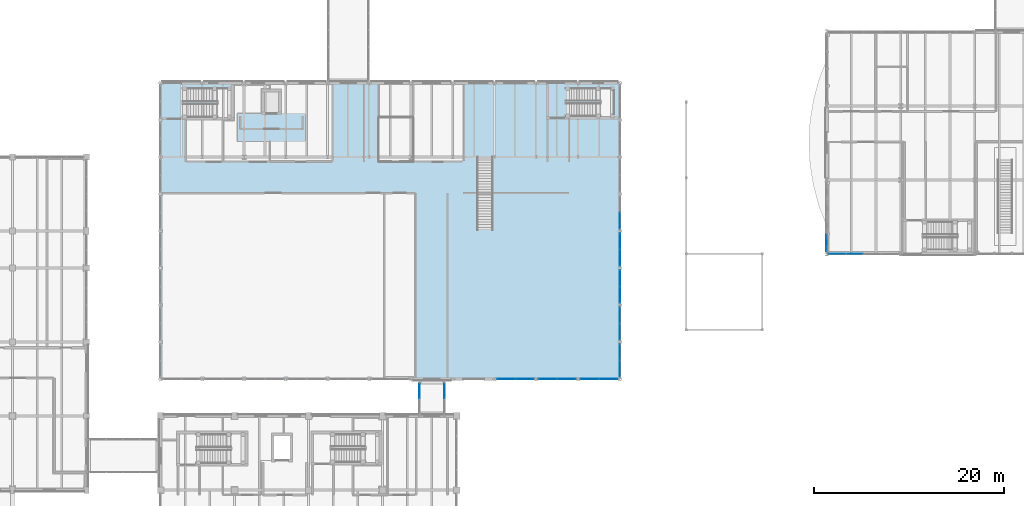
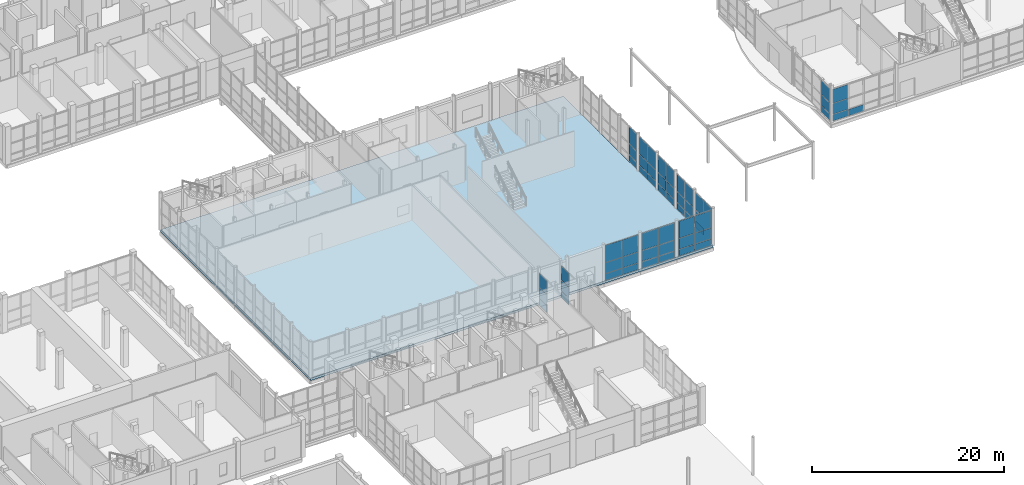
# One storey, part 75 of 131: 58 plates, 1 slab, 12 elements without a shape of their own.
"""IFC4 building model written with IfcOpenShell, lengths in metres."""

import ifcopenshell
import ifcopenshell.guid

model = None  # the IFC model being written
_history = None  # IfcOwnerHistory: only IFC2X3 demands one
_inside = {}  # id of a spatial element -> (the spatial element, [elements in it])
_under = {}  # id of a project, library or spatial element -> (it, [spatial elements below it])
_declared = {}  # id of a project -> (the project, [libraries it declares])
_typed = {}  # id of a type object -> (the type object, [elements of that type])
_made_of = {}  # id of a material, layer set ... -> (it, [elements and type objects made of it])


def new_model(schema):
    """Start an empty IFC model of exactly this schema.

    Asked for "IFC4X3", IfcOpenShell would pick the latest addendum, in which some entities
    have other attributes; the version numbers below select the first issue.
    IFC2X3 requires an IfcOwnerHistory on every rooted entity: one is made here for all.
    """
    global model, _history
    if schema == "IFC4X3":
        model = ifcopenshell.file(schema_version=(4, 3, 0, 0))
    else:
        model = ifcopenshell.file(schema=schema)
    _inside.clear()
    _under.clear()
    _declared.clear()
    _typed.clear()
    _made_of.clear()
    _history = None
    if model.schema == "IFC2X3":
        org = make("IfcOrganization", Name="unknown")
        user = make(
            "IfcPersonAndOrganization",
            ThePerson=make("IfcPerson", FamilyName="unknown"),
            TheOrganization=org,
        )
        app = make(
            "IfcApplication",
            ApplicationDeveloper=org,
            Version="unknown",
            ApplicationFullName="unknown",
            ApplicationIdentifier="unknown",
        )
        _history = make(
            "IfcOwnerHistory",
            OwningUser=user,
            OwningApplication=app,
            ChangeAction="ADDED",
            CreationDate=0,
        )
    return model


def make(cls, **values):
    """One entity of the class cls with the attributes given. An attribute that is None is left unset."""
    return model.create_entity(
        cls, **{name: value for name, value in values.items() if value is not None}
    )


def rooted(cls, **values):
    """An entity with a GlobalId (a new one), such as an element, a storey or a relation."""
    return make(cls, GlobalId=ifcopenshell.guid.new(), OwnerHistory=_history, **values)


def si_unit(unit_type, name, prefix=None):
    """IfcSIUnit, for example si_unit("LENGTHUNIT", "METRE", prefix="MILLI")."""
    return make("IfcSIUnit", UnitType=unit_type, Prefix=prefix, Name=name)


def assignment(units):
    """IfcUnitAssignment: the units of a project."""
    return None if units is None else make("IfcUnitAssignment", Units=units)


def point(xyz):
    """IfcCartesianPoint."""
    return None if xyz is None else make("IfcCartesianPoint", Coordinates=xyz)


def direction(xyz):
    """IfcDirection."""
    return None if xyz is None else make("IfcDirection", DirectionRatios=xyz)


def frame(location, z_axis=None, x_axis=None):
    """IfcAxis2Placement3D, a coordinate frame: its origin and axes. An axis left out is left unset."""
    return make(
        "IfcAxis2Placement3D",
        Location=point(location),
        Axis=direction(z_axis),
        RefDirection=direction(x_axis),
    )


def frame_2d(location, x_axis=None):
    """IfcAxis2Placement2D, a coordinate frame in the plane: its origin and x axis."""
    return make(
        "IfcAxis2Placement2D", Location=point(location), RefDirection=direction(x_axis)
    )


def origin():
    """The frame at (0, 0, 0) with its axes left unset."""
    return frame((0.0, 0.0, 0.0))


def origin_2d():
    """The frame at (0, 0) in the plane with its x axis left unset."""
    return frame_2d((0.0, 0.0))


def place(relative_to, where):
    """IfcLocalPlacement: puts the frame where relative to a parent placement (None: the world)."""
    return make(
        "IfcLocalPlacement", PlacementRelTo=relative_to, RelativePlacement=where
    )


def context(
    kind, dimensions, precision=None, world=None, true_north=None, identifier=None
):
    """IfcGeometricRepresentationContext, for example the 3D "Model" context."""
    return make(
        "IfcGeometricRepresentationContext",
        ContextIdentifier=identifier,
        ContextType=kind,
        CoordinateSpaceDimension=dimensions,
        Precision=precision,
        WorldCoordinateSystem=world,
        TrueNorth=true_north,
    )


def subcontext(parent, identifier, kind, view, scale=None):
    """IfcGeometricRepresentationSubContext, for example "Body" below "Model"."""
    return make(
        "IfcGeometricRepresentationSubContext",
        ContextIdentifier=identifier,
        ContextType=kind,
        ParentContext=parent,
        TargetScale=scale,
        TargetView=view,
    )


def project(units=None, contexts=None):
    """IfcProject with its units and contexts."""
    return rooted(
        "IfcProject",
        Name="project",
        RepresentationContexts=contexts,
        UnitsInContext=assignment(units),
    )


def spatial(cls, under=None, at=None, **own):
    """A site, building, storey or space (cls), placed at a placement, below another one or the project."""
    s = rooted(cls, ObjectPlacement=at, **own)
    if under is not None:
        _under.setdefault(under.id(), (under, []))[1].append(s)
    return s


def polyline(points):
    """IfcPolyline through the points."""
    return make("IfcPolyline", Points=[point(p) for p in points])


def profile(cls, at=None, kind="AREA", **sizes):
    """A parametric profile (cls). Its sizes go by their IFC names, for example OverallWidth=200.0."""
    return make(cls, ProfileType=kind, Position=at, **sizes)


def rectangle(**sizes):
    """IfcRectangleProfileDef."""
    return profile("IfcRectangleProfileDef", **sizes)


def outline(outer, holes=None, kind="AREA"):
    """IfcArbitraryClosedProfileDef: a profile drawn as a closed curve; with holes, ...WithVoids."""
    if holes is None:
        return make("IfcArbitraryClosedProfileDef", ProfileType=kind, OuterCurve=outer)
    return make(
        "IfcArbitraryProfileDefWithVoids",
        ProfileType=kind,
        OuterCurve=outer,
        InnerCurves=holes,
    )


def extrude(swept, where, along, depth):
    """IfcExtrudedAreaSolid: the profile swept, set in the frame where, extruded along a direction by depth."""
    return make(
        "IfcExtrudedAreaSolid",
        SweptArea=swept,
        Position=where,
        ExtrudedDirection=direction(along),
        Depth=depth,
    )


def shape(context_of_items, identifier, shape_type, items):
    """IfcShapeRepresentation: the items that make up one representation, for example the "Body"."""
    return make(
        "IfcShapeRepresentation",
        ContextOfItems=context_of_items,
        RepresentationIdentifier=identifier,
        RepresentationType=shape_type,
        Items=items,
    )


def material(Name=None, Category=None):
    """IfcMaterial."""
    return make("IfcMaterial", Name=Name, Category=Category)


def layer(
    of_material, thickness, ventilated=None, Name=None, Category=None, Priority=None
):
    """IfcMaterialLayer: one layer of a wall or slab, of a material (None: an air gap)."""
    return make(
        "IfcMaterialLayer",
        Material=of_material,
        LayerThickness=thickness,
        IsVentilated=ventilated,
        Name=Name,
        Category=Category,
        Priority=Priority,
    )


def layer_set(layers, Name=None):
    """IfcMaterialLayerSet."""
    return make("IfcMaterialLayerSet", MaterialLayers=layers, LayerSetName=Name)


def made_of(thing, what):
    """Note that an element or type object is made of a material, layer set ...; save() writes the relation."""
    if what is not None:
        _made_of.setdefault(what.id(), (what, []))[1].append(thing)
    return thing


def type_object(cls, material=None, **own):
    """A type object (cls), such as IfcWallType, which elements share."""
    return made_of(rooted(cls, **own), material)


def element(
    cls,
    number,
    at=None,
    inside=None,
    cuts=None,
    type_object=None,
    material=None,
    context=None,
    identifier="Body",
    shape_type=None,
    held_by="IfcProductDefinitionShape",
    body=None,
    shapes=None,
    **own,
):
    """One element of the class cls, such as IfcWall. Its Tag is "e" and its number.

    at: its placement. inside: the storey or other place that contains it. cuts: it is an
    opening in that element (IfcRelVoidsElement). A single representation is given by context,
    identifier, shape_type and body (its items); several are given by shapes. held_by: the class
    of the entity that holds the representations. save() writes the other relations.
    """
    e = rooted(cls, Tag="e%d" % number, ObjectPlacement=at, **own)
    if body is not None:
        shapes = [shape(context, identifier, shape_type, body)]
    if shapes is not None:
        e.Representation = make(held_by, Representations=shapes)
    if inside is not None:
        _inside.setdefault(inside.id(), (inside, []))[1].append(e)
    if cuts is not None:
        rooted(
            "IfcRelVoidsElement", RelatingBuildingElement=cuts, RelatedOpeningElement=e
        )
    if type_object is not None:
        _typed.setdefault(type_object.id(), (type_object, []))[1].append(e)
    return made_of(e, material)


def aggregate(whole, parts):
    """IfcRelAggregates: a whole, such as a stair, and the parts it consists of."""
    return rooted("IfcRelAggregates", RelatingObject=whole, RelatedObjects=parts)


def save(model, path):
    """Write the relations noted so far, then the file.

    IfcRelAggregates (storeys below a building ...), IfcRelContainedInSpatialStructure (elements
    in a storey), IfcRelDefinesByType, IfcRelAssociatesMaterial and IfcRelDeclares: one each for
    every whole, place, type object, material and project.
    """
    for whole, parts in _under.values():
        aggregate(whole, parts)
    for where, things in _inside.values():
        rooted(
            "IfcRelContainedInSpatialStructure",
            RelatedElements=things,
            RelatingStructure=where,
        )
    for kind, things in _typed.values():
        rooted("IfcRelDefinesByType", RelatedObjects=things, RelatingType=kind)
    for what, things in _made_of.values():
        rooted("IfcRelAssociatesMaterial", RelatedObjects=things, RelatingMaterial=what)
    for by, libraries in _declared.values():
        rooted("IfcRelDeclares", RelatingContext=by, RelatedDefinitions=libraries)
    model.write(path)


model = new_model("IFC4")

# Units and contexts
model_context = context("Model", 3, precision=1e-05, world=origin(), true_north=direction((0.0, 1.0)))
body_context = subcontext(model_context, "Body", "Model", "MODEL_VIEW")
ifc_project = project(units=[si_unit("LENGTHUNIT", "METRE"), si_unit("AREAUNIT", "SQUARE_METRE"), si_unit("VOLUMEUNIT", "CUBIC_METRE"), si_unit("PLANEANGLEUNIT", "RADIAN"), si_unit("MASSUNIT", "GRAM", prefix="KILO")], contexts=[model_context])

# Site, building, storey
site_placement = place(None, origin())
site = spatial("IfcSite", under=ifc_project, at=site_placement, CompositionType="ELEMENT")
building_placement = place(site_placement, origin())
building = spatial("IfcBuilding", under=site, at=building_placement, Name="Celorna Specialist Clinic", CompositionType="ELEMENT")
storey_placement = place(building_placement, origin())
storey = spatial("IfcBuildingStorey", under=building, at=storey_placement, Name="L00", CompositionType="ELEMENT", Elevation=0.0)

# Curtain wall, plates
ifc_material_1 = material(Name="Thermally broken aluminium and solar-control glass curtain wall", Category="aluminium")
ifc_layer_1 = layer(ifc_material_1, 0.159912109375, Name="Thermally broken aluminium and solar-control glass curtain wall")
ifc_layer_set_1 = layer_set([ifc_layer_1], Name="Thermally broken aluminium and solar-control glass curtain wall")
curtain_wall_type_1 = type_object("IfcCurtainWallType", Name="CW-03", PredefinedType="NOTDEFINED", material=ifc_layer_set_1)
curtain_wall_1_placement = place(storey_placement, origin())
curtain_wall_1 = element("IfcCurtainWall", 1, at=curtain_wall_1_placement, inside=storey, type_object=curtain_wall_type_1, Name="Curtain wall CW-03 #7", PredefinedType="NOTDEFINED")
ifc_material_2 = material(Name="Low-e double glazing", Category="glass")
ifc_layer_2 = layer(ifc_material_2, 0.028076171875, Name="Low-e double glazing")
ifc_layer_set_2 = layer_set([ifc_layer_2], Name="Low-e double glazing")
plate_type_1 = type_object("IfcPlateType", Name="CPN-01", PredefinedType="CURTAIN_PANEL", material=ifc_layer_set_2)
plate_1_placement = place(storey_placement, frame((92.98388671875, 46.800048828125, 0.0498046875), z_axis=(0.0, 0.0, 1.0), x_axis=(-1.0, 0.0, 0.0)))
plate_1 = element("IfcPlate", 2, at=plate_1_placement, type_object=plate_type_1, Name="CW-03 panel 1.1", PredefinedType="CURTAIN_PANEL", context=body_context, shape_type="SweptSolid", body=[
    extrude(rectangle(XDim=1.917724609375, YDim=0.028076171875, at=origin_2d()), origin(), (0.0, 0.0, 1.0), 0.824951171875),
])
plate_2_placement = place(storey_placement, frame((92.98388671875, 46.800048828125, 0.925048828125), z_axis=(0.0, 0.0, 1.0), x_axis=(-1.0, 0.0, 0.0)))
plate_2 = element("IfcPlate", 3, at=plate_2_placement, type_object=plate_type_1, Name="CW-03 panel 1.2", PredefinedType="CURTAIN_PANEL", context=body_context, shape_type="SweptSolid", body=[
    extrude(rectangle(XDim=1.917724609375, YDim=0.028076171875, at=origin_2d()), origin(), (0.0, 0.0, 1.0), 1.35009765625),
])
plate_3_placement = place(storey_placement, frame((92.98388671875, 46.800048828125, 2.324951171875), z_axis=(0.0, 0.0, 1.0), x_axis=(-1.0, 0.0, 0.0)))
plate_3 = element("IfcPlate", 4, at=plate_3_placement, type_object=plate_type_1, Name="CW-03 panel 1.3", PredefinedType="CURTAIN_PANEL", context=body_context, shape_type="SweptSolid", body=[
    extrude(rectangle(XDim=1.917724609375, YDim=0.028076171875, at=origin_2d()), origin(), (0.0, 0.0, 1.0), 2.1650390625),
])
plate_4_placement = place(storey_placement, frame((91.01611328125, 46.800048828125, 0.0498046875), z_axis=(0.0, 0.0, 1.0), x_axis=(-1.0, 0.0, 0.0)))
plate_4 = element("IfcPlate", 5, at=plate_4_placement, type_object=plate_type_1, Name="CW-03 panel 2.1", PredefinedType="CURTAIN_PANEL", context=body_context, shape_type="SweptSolid", body=[
    extrude(rectangle(XDim=1.917724609375, YDim=0.028076171875, at=origin_2d()), origin(), (0.0, 0.0, 1.0), 0.824951171875),
])
plate_5_placement = place(storey_placement, frame((91.01611328125, 46.800048828125, 0.925048828125), z_axis=(0.0, 0.0, 1.0), x_axis=(-1.0, 0.0, 0.0)))
plate_5 = element("IfcPlate", 6, at=plate_5_placement, type_object=plate_type_1, Name="CW-03 panel 2.2", PredefinedType="CURTAIN_PANEL", context=body_context, shape_type="SweptSolid", body=[
    extrude(rectangle(XDim=1.917724609375, YDim=0.028076171875, at=origin_2d()), origin(), (0.0, 0.0, 1.0), 1.35009765625),
])
plate_6_placement = place(storey_placement, frame((91.01611328125, 46.800048828125, 2.324951171875), z_axis=(0.0, 0.0, 1.0), x_axis=(-1.0, 0.0, 0.0)))
plate_6 = element("IfcPlate", 7, at=plate_6_placement, type_object=plate_type_1, Name="CW-03 panel 2.3", PredefinedType="CURTAIN_PANEL", context=body_context, shape_type="SweptSolid", body=[
    extrude(rectangle(XDim=1.917724609375, YDim=0.028076171875, at=origin_2d()), origin(), (0.0, 0.0, 1.0), 2.1650390625),
])
aggregate(curtain_wall_1, [plate_1, plate_2, plate_3, plate_4, plate_5, plate_6])

ifc_layer_3 = layer(ifc_material_1, 0.159912109375, Name="Thermally broken aluminium and solar-control glass curtain wall")
ifc_layer_set_3 = layer_set([ifc_layer_3], Name="Thermally broken aluminium and solar-control glass curtain wall")
curtain_wall_type_2 = type_object("IfcCurtainWallType", Name="CW-06", PredefinedType="NOTDEFINED", material=ifc_layer_set_3)
curtain_wall_2_placement = place(storey_placement, origin())
curtain_wall_2 = element("IfcCurtainWall", 8, at=curtain_wall_2_placement, inside=storey, type_object=curtain_wall_type_2, Name="Curtain wall CW-06 #23", PredefinedType="NOTDEFINED")
plate_7_placement = place(storey_placement, frame((103.0, 63.4912109375, 0.0498046875), z_axis=(0.0, 0.0, 1.0), x_axis=(0.0, -1.0, 0.0)))
plate_7 = element("IfcPlate", 9, at=plate_7_placement, type_object=plate_type_1, Name="CW-06 panel 2.1", PredefinedType="CURTAIN_PANEL", context=body_context, shape_type="SweptSolid", body=[
    extrude(rectangle(XDim=1.667724609375, YDim=0.028076171875, at=origin_2d()), origin(), (0.0, 0.0, 1.0), 0.824951171875),
])
plate_8_placement = place(storey_placement, frame((103.0, 63.4912109375, 0.925048828125), z_axis=(0.0, 0.0, 1.0), x_axis=(0.0, -1.0, 0.0)))
plate_8 = element("IfcPlate", 10, at=plate_8_placement, type_object=plate_type_1, Name="CW-06 panel 2.2", PredefinedType="CURTAIN_PANEL", context=body_context, shape_type="SweptSolid", body=[
    extrude(rectangle(XDim=1.667724609375, YDim=0.028076171875, at=origin_2d()), origin(), (0.0, 0.0, 1.0), 1.35009765625),
])
plate_9_placement = place(storey_placement, frame((103.0, 63.4912109375, 2.324951171875), z_axis=(0.0, 0.0, 1.0), x_axis=(0.0, -1.0, 0.0)))
plate_9 = element("IfcPlate", 11, at=plate_9_placement, type_object=plate_type_1, Name="CW-06 panel 2.3", PredefinedType="CURTAIN_PANEL", context=body_context, shape_type="SweptSolid", body=[
    extrude(rectangle(XDim=1.667724609375, YDim=0.028076171875, at=origin_2d()), origin(), (0.0, 0.0, 1.0), 2.1650390625),
])
aggregate(curtain_wall_2, [plate_7, plate_8, plate_9])

ifc_layer_4 = layer(ifc_material_1, 0.159912109375, Name="Thermally broken aluminium and solar-control glass curtain wall")
ifc_layer_set_4 = layer_set([ifc_layer_4], Name="Thermally broken aluminium and solar-control glass curtain wall")
curtain_wall_type_3 = type_object("IfcCurtainWallType", Name="CW-112", PredefinedType="NOTDEFINED", material=ifc_layer_set_4)
curtain_wall_3_placement = place(storey_placement, origin())
curtain_wall_3 = element("IfcCurtainWall", 12, at=curtain_wall_3_placement, inside=storey, type_object=curtain_wall_type_3, Name="Curtain wall CW-112 #204", PredefinedType="NOTDEFINED")
plate_10_placement = place(storey_placement, frame((81.8798828125, 45.56005859375, 0.0498046875), z_axis=(0.0, 0.0, 1.0), x_axis=(0.0, 1.0, 0.0)))
plate_10 = element("IfcPlate", 13, at=plate_10_placement, type_object=plate_type_1, Name="CW-112 panel 2.1", PredefinedType="CURTAIN_PANEL", context=body_context, shape_type="SweptSolid", body=[
    extrude(rectangle(XDim=1.5400390625, YDim=0.028076171875, at=origin_2d()), origin(), (0.0, 0.0, 1.0), 0.824951171875),
])
plate_11_placement = place(storey_placement, frame((81.8798828125, 45.56005859375, 0.925048828125), z_axis=(0.0, 0.0, 1.0), x_axis=(0.0, 1.0, 0.0)))
plate_11 = element("IfcPlate", 14, at=plate_11_placement, type_object=plate_type_1, Name="CW-112 panel 2.2", PredefinedType="CURTAIN_PANEL", context=body_context, shape_type="SweptSolid", body=[
    extrude(rectangle(XDim=1.5400390625, YDim=0.028076171875, at=origin_2d()), origin(), (0.0, 0.0, 1.0), 1.35009765625),
])
plate_12_placement = place(storey_placement, frame((81.8798828125, 45.56005859375, 2.324951171875), z_axis=(0.0, 0.0, 1.0), x_axis=(0.0, 1.0, 0.0)))
plate_12 = element("IfcPlate", 15, at=plate_12_placement, type_object=plate_type_1, Name="CW-112 panel 2.3", PredefinedType="CURTAIN_PANEL", context=body_context, shape_type="SweptSolid", body=[
    extrude(rectangle(XDim=1.5400390625, YDim=0.028076171875, at=origin_2d()), origin(), (0.0, 0.0, 1.0), 1.7548828125),
])
aggregate(curtain_wall_3, [plate_10, plate_11, plate_12])

curtain_wall_4_placement = place(storey_placement, origin())
curtain_wall_4 = element("IfcCurtainWall", 16, at=curtain_wall_4_placement, inside=storey, type_object=curtain_wall_type_3, Name="Curtain wall CW-112 #205", PredefinedType="NOTDEFINED")
plate_13_placement = place(storey_placement, frame((84.52001953125, 45.56005859375, 0.0498046875), z_axis=(0.0, 0.0, 1.0), x_axis=(0.0, -1.0, 0.0)))
plate_13 = element("IfcPlate", 17, at=plate_13_placement, type_object=plate_type_1, Name="CW-112 panel 1.1", PredefinedType="CURTAIN_PANEL", context=body_context, shape_type="SweptSolid", body=[
    extrude(rectangle(XDim=1.5400390625, YDim=0.028076171875, at=origin_2d()), origin(), (0.0, 0.0, 1.0), 0.824951171875),
])
plate_14_placement = place(storey_placement, frame((84.52001953125, 45.56005859375, 0.925048828125), z_axis=(0.0, 0.0, 1.0), x_axis=(0.0, -1.0, 0.0)))
plate_14 = element("IfcPlate", 18, at=plate_14_placement, type_object=plate_type_1, Name="CW-112 panel 1.2", PredefinedType="CURTAIN_PANEL", context=body_context, shape_type="SweptSolid", body=[
    extrude(rectangle(XDim=1.5400390625, YDim=0.028076171875, at=origin_2d()), origin(), (0.0, 0.0, 1.0), 1.35009765625),
])
plate_15_placement = place(storey_placement, frame((84.52001953125, 45.56005859375, 2.324951171875), z_axis=(0.0, 0.0, 1.0), x_axis=(0.0, -1.0, 0.0)))
plate_15 = element("IfcPlate", 19, at=plate_15_placement, type_object=plate_type_1, Name="CW-112 panel 1.3", PredefinedType="CURTAIN_PANEL", context=body_context, shape_type="SweptSolid", body=[
    extrude(rectangle(XDim=1.5400390625, YDim=0.028076171875, at=origin_2d()), origin(), (0.0, 0.0, 1.0), 1.7548828125),
])
aggregate(curtain_wall_4, [plate_13, plate_14, plate_15])

ifc_layer_5 = layer(ifc_material_1, 0.159912109375, Name="Thermally broken aluminium and solar-control glass curtain wall")
ifc_layer_set_5 = layer_set([ifc_layer_5], Name="Thermally broken aluminium and solar-control glass curtain wall")
curtain_wall_type_4 = type_object("IfcCurtainWallType", Name="CW-01", PredefinedType="NOTDEFINED", material=ifc_layer_set_5)
curtain_wall_5_placement = place(storey_placement, origin())
curtain_wall_5 = element("IfcCurtainWall", 20, at=curtain_wall_5_placement, inside=storey, type_object=curtain_wall_type_4, Name="Curtain wall CW-01 #8", PredefinedType="NOTDEFINED")
ifc_material_3 = material(Name="Solar-control triple glazing", Category="glass")
ifc_layer_6 = layer(ifc_material_3, 0.035888671875, Name="Solar-control triple glazing")
ifc_layer_set_6 = layer_set([ifc_layer_6], Name="Solar-control triple glazing")
plate_type_2 = type_object("IfcPlateType", Name="CPN-02", PredefinedType="CURTAIN_PANEL", material=ifc_layer_set_6)
plate_16_placement = place(storey_placement, frame((97.3837890625, 46.800048828125, 0.0498046875), z_axis=(0.0, 0.0, 1.0), x_axis=(-1.0, 0.0, 0.0)))
plate_16 = element("IfcPlate", 21, at=plate_16_placement, type_object=plate_type_2, Name="CW-01 panel 1.1", PredefinedType="CURTAIN_PANEL", context=body_context, shape_type="SweptSolid", body=[
    extrude(rectangle(XDim=1.917724609375, YDim=0.035888671875, at=origin_2d()), origin(), (0.0, 0.0, 1.0), 0.824951171875),
])
plate_17_placement = place(storey_placement, frame((97.3837890625, 46.800048828125, 0.925048828125), z_axis=(0.0, 0.0, 1.0), x_axis=(-1.0, 0.0, 0.0)))
plate_17 = element("IfcPlate", 22, at=plate_17_placement, type_object=plate_type_2, Name="CW-01 panel 1.2", PredefinedType="CURTAIN_PANEL", context=body_context, shape_type="SweptSolid", body=[
    extrude(rectangle(XDim=1.917724609375, YDim=0.035888671875, at=origin_2d()), origin(), (0.0, 0.0, 1.0), 1.35009765625),
])
plate_18_placement = place(storey_placement, frame((97.3837890625, 46.800048828125, 2.324951171875), z_axis=(0.0, 0.0, 1.0), x_axis=(-1.0, 0.0, 0.0)))
plate_18 = element("IfcPlate", 23, at=plate_18_placement, type_object=plate_type_2, Name="CW-01 panel 1.3", PredefinedType="CURTAIN_PANEL", context=body_context, shape_type="SweptSolid", body=[
    extrude(rectangle(XDim=1.917724609375, YDim=0.035888671875, at=origin_2d()), origin(), (0.0, 0.0, 1.0), 2.1650390625),
])
plate_19_placement = place(storey_placement, frame((95.416015625, 46.800048828125, 0.0498046875), z_axis=(0.0, 0.0, 1.0), x_axis=(-1.0, 0.0, 0.0)))
plate_19 = element("IfcPlate", 24, at=plate_19_placement, type_object=plate_type_2, Name="CW-01 panel 2.1", PredefinedType="CURTAIN_PANEL", context=body_context, shape_type="SweptSolid", body=[
    extrude(rectangle(XDim=1.917724609375, YDim=0.035888671875, at=origin_2d()), origin(), (0.0, 0.0, 1.0), 0.824951171875),
])
plate_20_placement = place(storey_placement, frame((95.416015625, 46.800048828125, 0.925048828125), z_axis=(0.0, 0.0, 1.0), x_axis=(-1.0, 0.0, 0.0)))
plate_20 = element("IfcPlate", 25, at=plate_20_placement, type_object=plate_type_2, Name="CW-01 panel 2.2", PredefinedType="CURTAIN_PANEL", context=body_context, shape_type="SweptSolid", body=[
    extrude(rectangle(XDim=1.917724609375, YDim=0.035888671875, at=origin_2d()), origin(), (0.0, 0.0, 1.0), 1.35009765625),
])
plate_21_placement = place(storey_placement, frame((95.416015625, 46.800048828125, 2.324951171875), z_axis=(0.0, 0.0, 1.0), x_axis=(-1.0, 0.0, 0.0)))
plate_21 = element("IfcPlate", 26, at=plate_21_placement, type_object=plate_type_2, Name="CW-01 panel 2.3", PredefinedType="CURTAIN_PANEL", context=body_context, shape_type="SweptSolid", body=[
    extrude(rectangle(XDim=1.917724609375, YDim=0.035888671875, at=origin_2d()), origin(), (0.0, 0.0, 1.0), 2.1650390625),
])
aggregate(curtain_wall_5, [plate_16, plate_17, plate_18, plate_19, plate_20, plate_21])

ifc_layer_7 = layer(ifc_material_1, 0.159912109375, Name="Thermally broken aluminium and solar-control glass curtain wall")
ifc_layer_set_7 = layer_set([ifc_layer_7], Name="Thermally broken aluminium and solar-control glass curtain wall")
curtain_wall_type_5 = type_object("IfcCurtainWallType", Name="CW-04", PredefinedType="NOTDEFINED", material=ifc_layer_set_7)
curtain_wall_6_placement = place(storey_placement, origin())
curtain_wall_6 = element("IfcCurtainWall", 27, at=curtain_wall_6_placement, inside=storey, type_object=curtain_wall_type_5, Name="Curtain wall CW-04 #18", PredefinedType="NOTDEFINED")
plate_22_placement = place(storey_placement, frame((103.0, 53.5087890625, 0.0498046875), z_axis=(0.0, 0.0, 1.0), x_axis=(0.0, -1.0, 0.0)))
plate_22 = element("IfcPlate", 28, at=plate_22_placement, type_object=plate_type_2, Name="CW-04 panel 1.1", PredefinedType="CURTAIN_PANEL", context=body_context, shape_type="SweptSolid", body=[
    extrude(rectangle(XDim=1.667724609375, YDim=0.035888671875, at=origin_2d()), origin(), (0.0, 0.0, 1.0), 0.824951171875),
])
plate_23_placement = place(storey_placement, frame((103.0, 53.5087890625, 0.925048828125), z_axis=(0.0, 0.0, 1.0), x_axis=(0.0, -1.0, 0.0)))
plate_23 = element("IfcPlate", 29, at=plate_23_placement, type_object=plate_type_2, Name="CW-04 panel 1.2", PredefinedType="CURTAIN_PANEL", context=body_context, shape_type="SweptSolid", body=[
    extrude(rectangle(XDim=1.667724609375, YDim=0.035888671875, at=origin_2d()), origin(), (0.0, 0.0, 1.0), 1.35009765625),
])
plate_24_placement = place(storey_placement, frame((103.0, 53.5087890625, 2.324951171875), z_axis=(0.0, 0.0, 1.0), x_axis=(0.0, -1.0, 0.0)))
plate_24 = element("IfcPlate", 30, at=plate_24_placement, type_object=plate_type_2, Name="CW-04 panel 1.3", PredefinedType="CURTAIN_PANEL", context=body_context, shape_type="SweptSolid", body=[
    extrude(rectangle(XDim=1.667724609375, YDim=0.035888671875, at=origin_2d()), origin(), (0.0, 0.0, 1.0), 2.1650390625),
])
plate_25_placement = place(storey_placement, frame((103.0, 51.791015625, 0.0498046875), z_axis=(0.0, 0.0, 1.0), x_axis=(0.0, -1.0, 0.0)))
plate_25 = element("IfcPlate", 31, at=plate_25_placement, type_object=plate_type_2, Name="CW-04 panel 2.1", PredefinedType="CURTAIN_PANEL", context=body_context, shape_type="SweptSolid", body=[
    extrude(rectangle(XDim=1.667724609375, YDim=0.035888671875, at=origin_2d()), origin(), (0.0, 0.0, 1.0), 0.824951171875),
])
plate_26_placement = place(storey_placement, frame((103.0, 51.791015625, 0.925048828125), z_axis=(0.0, 0.0, 1.0), x_axis=(0.0, -1.0, 0.0)))
plate_26 = element("IfcPlate", 32, at=plate_26_placement, type_object=plate_type_2, Name="CW-04 panel 2.2", PredefinedType="CURTAIN_PANEL", context=body_context, shape_type="SweptSolid", body=[
    extrude(rectangle(XDim=1.667724609375, YDim=0.035888671875, at=origin_2d()), origin(), (0.0, 0.0, 1.0), 1.35009765625),
])
plate_27_placement = place(storey_placement, frame((103.0, 51.791015625, 2.324951171875), z_axis=(0.0, 0.0, 1.0), x_axis=(0.0, -1.0, 0.0)))
plate_27 = element("IfcPlate", 33, at=plate_27_placement, type_object=plate_type_2, Name="CW-04 panel 2.3", PredefinedType="CURTAIN_PANEL", context=body_context, shape_type="SweptSolid", body=[
    extrude(rectangle(XDim=1.667724609375, YDim=0.035888671875, at=origin_2d()), origin(), (0.0, 0.0, 1.0), 2.1650390625),
])
aggregate(curtain_wall_6, [plate_22, plate_23, plate_24, plate_25, plate_26, plate_27])

curtain_wall_7_placement = place(storey_placement, origin())
curtain_wall_7 = element("IfcCurtainWall", 34, at=curtain_wall_7_placement, inside=storey, type_object=curtain_wall_type_5, Name="Curtain wall CW-04 #19", PredefinedType="NOTDEFINED")
plate_28_placement = place(storey_placement, frame((103.0, 49.60888671875, 0.0498046875), z_axis=(0.0, 0.0, 1.0), x_axis=(0.0, -1.0, 0.0)))
plate_28 = element("IfcPlate", 35, at=plate_28_placement, type_object=plate_type_2, Name="CW-04 panel 1.1", PredefinedType="CURTAIN_PANEL", context=body_context, shape_type="SweptSolid", body=[
    extrude(rectangle(XDim=1.667724609375, YDim=0.035888671875, at=origin_2d()), origin(), (0.0, 0.0, 1.0), 0.824951171875),
])
plate_29_placement = place(storey_placement, frame((103.0, 49.60888671875, 0.925048828125), z_axis=(0.0, 0.0, 1.0), x_axis=(0.0, -1.0, 0.0)))
plate_29 = element("IfcPlate", 36, at=plate_29_placement, type_object=plate_type_2, Name="CW-04 panel 1.2", PredefinedType="CURTAIN_PANEL", context=body_context, shape_type="SweptSolid", body=[
    extrude(rectangle(XDim=1.667724609375, YDim=0.035888671875, at=origin_2d()), origin(), (0.0, 0.0, 1.0), 1.35009765625),
])
plate_30_placement = place(storey_placement, frame((103.0, 49.60888671875, 2.324951171875), z_axis=(0.0, 0.0, 1.0), x_axis=(0.0, -1.0, 0.0)))
plate_30 = element("IfcPlate", 37, at=plate_30_placement, type_object=plate_type_2, Name="CW-04 panel 1.3", PredefinedType="CURTAIN_PANEL", context=body_context, shape_type="SweptSolid", body=[
    extrude(rectangle(XDim=1.667724609375, YDim=0.035888671875, at=origin_2d()), origin(), (0.0, 0.0, 1.0), 2.1650390625),
])
plate_31_placement = place(storey_placement, frame((103.0, 47.89111328125, 0.0498046875), z_axis=(0.0, 0.0, 1.0), x_axis=(0.0, -1.0, 0.0)))
plate_31 = element("IfcPlate", 38, at=plate_31_placement, type_object=plate_type_2, Name="CW-04 panel 2.1", PredefinedType="CURTAIN_PANEL", context=body_context, shape_type="SweptSolid", body=[
    extrude(rectangle(XDim=1.667724609375, YDim=0.035888671875, at=origin_2d()), origin(), (0.0, 0.0, 1.0), 0.824951171875),
])
plate_32_placement = place(storey_placement, frame((103.0, 47.89111328125, 0.925048828125), z_axis=(0.0, 0.0, 1.0), x_axis=(0.0, -1.0, 0.0)))
plate_32 = element("IfcPlate", 39, at=plate_32_placement, type_object=plate_type_2, Name="CW-04 panel 2.2", PredefinedType="CURTAIN_PANEL", context=body_context, shape_type="SweptSolid", body=[
    extrude(rectangle(XDim=1.667724609375, YDim=0.035888671875, at=origin_2d()), origin(), (0.0, 0.0, 1.0), 1.35009765625),
])
plate_33_placement = place(storey_placement, frame((103.0, 47.89111328125, 2.324951171875), z_axis=(0.0, 0.0, 1.0), x_axis=(0.0, -1.0, 0.0)))
plate_33 = element("IfcPlate", 40, at=plate_33_placement, type_object=plate_type_2, Name="CW-04 panel 2.3", PredefinedType="CURTAIN_PANEL", context=body_context, shape_type="SweptSolid", body=[
    extrude(rectangle(XDim=1.667724609375, YDim=0.035888671875, at=origin_2d()), origin(), (0.0, 0.0, 1.0), 2.1650390625),
])
aggregate(curtain_wall_7, [plate_28, plate_29, plate_30, plate_31, plate_32, plate_33])

ifc_layer_8 = layer(ifc_material_1, 0.159912109375, Name="Thermally broken aluminium and solar-control glass curtain wall")
ifc_layer_set_8 = layer_set([ifc_layer_8], Name="Thermally broken aluminium and solar-control glass curtain wall")
curtain_wall_type_6 = type_object("IfcCurtainWallType", Name="CW-34", PredefinedType="NOTDEFINED", material=ifc_layer_set_8)
curtain_wall_8_placement = place(storey_placement, origin())
curtain_wall_8 = element("IfcCurtainWall", 41, at=curtain_wall_8_placement, inside=storey, type_object=curtain_wall_type_6, Name="Curtain wall CW-34 #64", PredefinedType="NOTDEFINED")
plate_34_placement = place(storey_placement, frame((127.763427734375, 60.0, 0.0498046875), z_axis=(0.0, 0.0, 1.0), x_axis=(-1.0, 0.0, 0.0)))
plate_34 = element("IfcPlate", 42, at=plate_34_placement, type_object=plate_type_2, Name="CW-34 panel 3.1", PredefinedType="CURTAIN_PANEL", context=body_context, shape_type="SweptSolid", body=[
    extrude(rectangle(XDim=1.822998046875, YDim=0.035888671875, at=origin_2d()), origin(), (0.0, 0.0, 1.0), 0.824951171875),
])
plate_35_placement = place(storey_placement, frame((125.903076171875, 60.0, 0.0498046875), z_axis=(0.0, 0.0, 1.0), x_axis=(-1.0, 0.0, 0.0)))
plate_35 = element("IfcPlate", 43, at=plate_35_placement, type_object=plate_type_2, Name="CW-34 panel 4.1", PredefinedType="CURTAIN_PANEL", context=body_context, shape_type="SweptSolid", body=[
    extrude(rectangle(XDim=1.798095703125, YDim=0.035888671875, at=origin_2d()), origin(), (0.0, 0.0, 1.0), 0.824951171875),
])
plate_36_placement = place(storey_placement, frame((125.903076171875, 60.0, 0.925048828125), z_axis=(0.0, 0.0, 1.0), x_axis=(-1.0, 0.0, 0.0)))
plate_36 = element("IfcPlate", 44, at=plate_36_placement, type_object=plate_type_2, Name="CW-34 panel 4.2", PredefinedType="CURTAIN_PANEL", context=body_context, shape_type="SweptSolid", body=[
    extrude(rectangle(XDim=1.798095703125, YDim=0.035888671875, at=origin_2d()), origin(), (0.0, 0.0, 1.0), 1.35009765625),
])
plate_37_placement = place(storey_placement, frame((125.903076171875, 60.0, 2.3251953125), z_axis=(0.0, 0.0, 1.0), x_axis=(-1.0, 0.0, 0.0)))
plate_37 = element("IfcPlate", 45, at=plate_37_placement, type_object=plate_type_2, Name="CW-34 panel 4.3", PredefinedType="CURTAIN_PANEL", context=body_context, shape_type="SweptSolid", body=[
    extrude(rectangle(XDim=1.798095703125, YDim=0.035888671875, at=origin_2d()), origin(), (0.0, 0.0, 1.0), 1.764892578125),
])
aggregate(curtain_wall_8, [plate_34, plate_35, plate_36, plate_37])

ifc_layer_9 = layer(ifc_material_1, 0.159912109375, Name="Thermally broken aluminium and solar-control glass curtain wall")
ifc_layer_set_9 = layer_set([ifc_layer_9], Name="Thermally broken aluminium and solar-control glass curtain wall")
curtain_wall_type_7 = type_object("IfcCurtainWallType", Name="CW-38", PredefinedType="NOTDEFINED", material=ifc_layer_set_9)
curtain_wall_9_placement = place(storey_placement, origin())
curtain_wall_9 = element("IfcCurtainWall", 46, at=curtain_wall_9_placement, inside=storey, type_object=curtain_wall_type_7, Name="Curtain wall CW-38 #73", PredefinedType="NOTDEFINED")
plate_38_placement = place(storey_placement, frame((124.800048828125, 61.13671875, 0.0498046875), z_axis=(0.0, 0.0, 1.0), x_axis=(0.0, 1.0, 0.0)))
plate_38 = element("IfcPlate", 47, at=plate_38_placement, type_object=plate_type_2, Name="CW-38 panel 1.1", PredefinedType="CURTAIN_PANEL", context=body_context, shape_type="SweptSolid", body=[
    extrude(rectangle(XDim=1.775390625, YDim=0.035888671875, at=origin_2d()), origin(), (0.0, 0.0, 1.0), 0.824951171875),
])
plate_39_placement = place(storey_placement, frame((124.800048828125, 61.13671875, 0.925048828125), z_axis=(0.0, 0.0, 1.0), x_axis=(0.0, 1.0, 0.0)))
plate_39 = element("IfcPlate", 48, at=plate_39_placement, type_object=plate_type_2, Name="CW-38 panel 1.2", PredefinedType="CURTAIN_PANEL", context=body_context, shape_type="SweptSolid", body=[
    extrude(rectangle(XDim=1.775390625, YDim=0.035888671875, at=origin_2d()), origin(), (0.0, 0.0, 1.0), 1.35009765625),
])
plate_40_placement = place(storey_placement, frame((124.800048828125, 61.13671875, 2.3251953125), z_axis=(0.0, 0.0, 1.0), x_axis=(0.0, 1.0, 0.0)))
plate_40 = element("IfcPlate", 49, at=plate_40_placement, type_object=plate_type_2, Name="CW-38 panel 1.3", PredefinedType="CURTAIN_PANEL", context=body_context, shape_type="SweptSolid", body=[
    extrude(rectangle(XDim=1.775390625, YDim=0.035888671875, at=origin_2d()), origin(), (0.0, 0.0, 1.0), 1.764892578125),
])
aggregate(curtain_wall_9, [plate_38, plate_39, plate_40])

ifc_layer_10 = layer(ifc_material_1, 0.159912109375, Name="Thermally broken aluminium and solar-control glass curtain wall")
ifc_layer_set_10 = layer_set([ifc_layer_10], Name="Thermally broken aluminium and solar-control glass curtain wall")
curtain_wall_type_8 = type_object("IfcCurtainWallType", Name="CW-02", PredefinedType="NOTDEFINED", material=ifc_layer_set_10)
curtain_wall_10_placement = place(storey_placement, origin())
curtain_wall_10 = element("IfcCurtainWall", 50, at=curtain_wall_10_placement, inside=storey, type_object=curtain_wall_type_8, Name="Curtain wall CW-02 #9", PredefinedType="NOTDEFINED")
ifc_material_4 = material(Name="Glazed polychrome ceramic insulated spandrel")
ifc_layer_11 = layer(ifc_material_4, 0.0439453125, Name="Glazed polychrome ceramic insulated spandrel")
ifc_layer_set_11 = layer_set([ifc_layer_11], Name="Glazed polychrome ceramic insulated spandrel")
plate_type_3 = type_object("IfcPlateType", Name="CPN-03", PredefinedType="CURTAIN_PANEL", material=ifc_layer_set_11)
plate_41_placement = place(storey_placement, frame((101.783935546875, 46.800048828125, 0.0498046875), z_axis=(0.0, 0.0, 1.0), x_axis=(-1.0, 0.0, 0.0)))
plate_41 = element("IfcPlate", 51, at=plate_41_placement, type_object=plate_type_3, Name="CW-02 panel 1.1", PredefinedType="CURTAIN_PANEL", context=body_context, shape_type="SweptSolid", body=[
    extrude(rectangle(XDim=1.917724609375, YDim=0.0439453125, at=origin_2d()), origin(), (0.0, 0.0, 1.0), 0.824951171875),
])
plate_42_placement = place(storey_placement, frame((101.783935546875, 46.800048828125, 0.925048828125), z_axis=(0.0, 0.0, 1.0), x_axis=(-1.0, 0.0, 0.0)))
plate_42 = element("IfcPlate", 52, at=plate_42_placement, type_object=plate_type_3, Name="CW-02 panel 1.2", PredefinedType="CURTAIN_PANEL", context=body_context, shape_type="SweptSolid", body=[
    extrude(rectangle(XDim=1.917724609375, YDim=0.0439453125, at=origin_2d()), origin(), (0.0, 0.0, 1.0), 1.35009765625),
])
plate_43_placement = place(storey_placement, frame((101.783935546875, 46.800048828125, 2.324951171875), z_axis=(0.0, 0.0, 1.0), x_axis=(-1.0, 0.0, 0.0)))
plate_43 = element("IfcPlate", 53, at=plate_43_placement, type_object=plate_type_3, Name="CW-02 panel 1.3", PredefinedType="CURTAIN_PANEL", context=body_context, shape_type="SweptSolid", body=[
    extrude(rectangle(XDim=1.917724609375, YDim=0.0439453125, at=origin_2d()), origin(), (0.0, 0.0, 1.0), 2.1650390625),
])
plate_44_placement = place(storey_placement, frame((99.816162109375, 46.800048828125, 0.0498046875), z_axis=(0.0, 0.0, 1.0), x_axis=(-1.0, 0.0, 0.0)))
plate_44 = element("IfcPlate", 54, at=plate_44_placement, type_object=plate_type_3, Name="CW-02 panel 2.1", PredefinedType="CURTAIN_PANEL", context=body_context, shape_type="SweptSolid", body=[
    extrude(rectangle(XDim=1.917724609375, YDim=0.0439453125, at=origin_2d()), origin(), (0.0, 0.0, 1.0), 0.824951171875),
])
plate_45_placement = place(storey_placement, frame((99.816162109375, 46.800048828125, 0.925048828125), z_axis=(0.0, 0.0, 1.0), x_axis=(-1.0, 0.0, 0.0)))
plate_45 = element("IfcPlate", 55, at=plate_45_placement, type_object=plate_type_3, Name="CW-02 panel 2.2", PredefinedType="CURTAIN_PANEL", context=body_context, shape_type="SweptSolid", body=[
    extrude(rectangle(XDim=1.917724609375, YDim=0.0439453125, at=origin_2d()), origin(), (0.0, 0.0, 1.0), 1.35009765625),
])
plate_46_placement = place(storey_placement, frame((99.816162109375, 46.800048828125, 2.324951171875), z_axis=(0.0, 0.0, 1.0), x_axis=(-1.0, 0.0, 0.0)))
plate_46 = element("IfcPlate", 56, at=plate_46_placement, type_object=plate_type_3, Name="CW-02 panel 2.3", PredefinedType="CURTAIN_PANEL", context=body_context, shape_type="SweptSolid", body=[
    extrude(rectangle(XDim=1.917724609375, YDim=0.0439453125, at=origin_2d()), origin(), (0.0, 0.0, 1.0), 2.1650390625),
])
aggregate(curtain_wall_10, [plate_41, plate_42, plate_43, plate_44, plate_45, plate_46])

ifc_layer_12 = layer(ifc_material_1, 0.159912109375, Name="Thermally broken aluminium and solar-control glass curtain wall")
ifc_layer_set_12 = layer_set([ifc_layer_12], Name="Thermally broken aluminium and solar-control glass curtain wall")
curtain_wall_type_9 = type_object("IfcCurtainWallType", Name="CW-05", PredefinedType="NOTDEFINED", material=ifc_layer_set_12)
curtain_wall_11_placement = place(storey_placement, origin())
curtain_wall_11 = element("IfcCurtainWall", 57, at=curtain_wall_11_placement, inside=storey, type_object=curtain_wall_type_9, Name="Curtain wall CW-05 #20", PredefinedType="NOTDEFINED")
plate_47_placement = place(storey_placement, frame((103.0, 61.308837890625, 0.0498046875), z_axis=(0.0, 0.0, 1.0), x_axis=(0.0, -1.0, 0.0)))
plate_47 = element("IfcPlate", 58, at=plate_47_placement, type_object=plate_type_3, Name="CW-05 panel 1.1", PredefinedType="CURTAIN_PANEL", context=body_context, shape_type="SweptSolid", body=[
    extrude(rectangle(XDim=1.667724609375, YDim=0.0439453125, at=origin_2d()), origin(), (0.0, 0.0, 1.0), 0.824951171875),
])
plate_48_placement = place(storey_placement, frame((103.0, 61.308837890625, 0.925048828125), z_axis=(0.0, 0.0, 1.0), x_axis=(0.0, -1.0, 0.0)))
plate_48 = element("IfcPlate", 59, at=plate_48_placement, type_object=plate_type_3, Name="CW-05 panel 1.2", PredefinedType="CURTAIN_PANEL", context=body_context, shape_type="SweptSolid", body=[
    extrude(rectangle(XDim=1.667724609375, YDim=0.0439453125, at=origin_2d()), origin(), (0.0, 0.0, 1.0), 1.35009765625),
])
plate_49_placement = place(storey_placement, frame((103.0, 61.308837890625, 2.324951171875), z_axis=(0.0, 0.0, 1.0), x_axis=(0.0, -1.0, 0.0)))
plate_49 = element("IfcPlate", 60, at=plate_49_placement, type_object=plate_type_3, Name="CW-05 panel 1.3", PredefinedType="CURTAIN_PANEL", context=body_context, shape_type="SweptSolid", body=[
    extrude(rectangle(XDim=1.667724609375, YDim=0.0439453125, at=origin_2d()), origin(), (0.0, 0.0, 1.0), 2.1650390625),
])
plate_50_placement = place(storey_placement, frame((103.0, 59.591064453125, 0.0498046875), z_axis=(0.0, 0.0, 1.0), x_axis=(0.0, -1.0, 0.0)))
plate_50 = element("IfcPlate", 61, at=plate_50_placement, type_object=plate_type_3, Name="CW-05 panel 2.1", PredefinedType="CURTAIN_PANEL", context=body_context, shape_type="SweptSolid", body=[
    extrude(rectangle(XDim=1.667724609375, YDim=0.0439453125, at=origin_2d()), origin(), (0.0, 0.0, 1.0), 0.824951171875),
])
plate_51_placement = place(storey_placement, frame((103.0, 59.591064453125, 0.925048828125), z_axis=(0.0, 0.0, 1.0), x_axis=(0.0, -1.0, 0.0)))
plate_51 = element("IfcPlate", 62, at=plate_51_placement, type_object=plate_type_3, Name="CW-05 panel 2.2", PredefinedType="CURTAIN_PANEL", context=body_context, shape_type="SweptSolid", body=[
    extrude(rectangle(XDim=1.667724609375, YDim=0.0439453125, at=origin_2d()), origin(), (0.0, 0.0, 1.0), 1.35009765625),
])
plate_52_placement = place(storey_placement, frame((103.0, 59.591064453125, 2.324951171875), z_axis=(0.0, 0.0, 1.0), x_axis=(0.0, -1.0, 0.0)))
plate_52 = element("IfcPlate", 63, at=plate_52_placement, type_object=plate_type_3, Name="CW-05 panel 2.3", PredefinedType="CURTAIN_PANEL", context=body_context, shape_type="SweptSolid", body=[
    extrude(rectangle(XDim=1.667724609375, YDim=0.0439453125, at=origin_2d()), origin(), (0.0, 0.0, 1.0), 2.1650390625),
])
aggregate(curtain_wall_11, [plate_47, plate_48, plate_49, plate_50, plate_51, plate_52])

curtain_wall_12_placement = place(storey_placement, origin())
curtain_wall_12 = element("IfcCurtainWall", 64, at=curtain_wall_12_placement, inside=storey, type_object=curtain_wall_type_9, Name="Curtain wall CW-05 #21", PredefinedType="NOTDEFINED")
plate_53_placement = place(storey_placement, frame((103.0, 57.408935546875, 0.0498046875), z_axis=(0.0, 0.0, 1.0), x_axis=(0.0, -1.0, 0.0)))
plate_53 = element("IfcPlate", 65, at=plate_53_placement, type_object=plate_type_3, Name="CW-05 panel 1.1", PredefinedType="CURTAIN_PANEL", context=body_context, shape_type="SweptSolid", body=[
    extrude(rectangle(XDim=1.667724609375, YDim=0.0439453125, at=origin_2d()), origin(), (0.0, 0.0, 1.0), 0.824951171875),
])
plate_54_placement = place(storey_placement, frame((103.0, 57.408935546875, 0.925048828125), z_axis=(0.0, 0.0, 1.0), x_axis=(0.0, -1.0, 0.0)))
plate_54 = element("IfcPlate", 66, at=plate_54_placement, type_object=plate_type_3, Name="CW-05 panel 1.2", PredefinedType="CURTAIN_PANEL", context=body_context, shape_type="SweptSolid", body=[
    extrude(rectangle(XDim=1.667724609375, YDim=0.0439453125, at=origin_2d()), origin(), (0.0, 0.0, 1.0), 1.35009765625),
])
plate_55_placement = place(storey_placement, frame((103.0, 57.408935546875, 2.324951171875), z_axis=(0.0, 0.0, 1.0), x_axis=(0.0, -1.0, 0.0)))
plate_55 = element("IfcPlate", 67, at=plate_55_placement, type_object=plate_type_3, Name="CW-05 panel 1.3", PredefinedType="CURTAIN_PANEL", context=body_context, shape_type="SweptSolid", body=[
    extrude(rectangle(XDim=1.667724609375, YDim=0.0439453125, at=origin_2d()), origin(), (0.0, 0.0, 1.0), 2.1650390625),
])
plate_56_placement = place(storey_placement, frame((103.0, 55.691162109375, 0.0498046875), z_axis=(0.0, 0.0, 1.0), x_axis=(0.0, -1.0, 0.0)))
plate_56 = element("IfcPlate", 68, at=plate_56_placement, type_object=plate_type_3, Name="CW-05 panel 2.1", PredefinedType="CURTAIN_PANEL", context=body_context, shape_type="SweptSolid", body=[
    extrude(rectangle(XDim=1.667724609375, YDim=0.0439453125, at=origin_2d()), origin(), (0.0, 0.0, 1.0), 0.824951171875),
])
plate_57_placement = place(storey_placement, frame((103.0, 55.691162109375, 0.925048828125), z_axis=(0.0, 0.0, 1.0), x_axis=(0.0, -1.0, 0.0)))
plate_57 = element("IfcPlate", 69, at=plate_57_placement, type_object=plate_type_3, Name="CW-05 panel 2.2", PredefinedType="CURTAIN_PANEL", context=body_context, shape_type="SweptSolid", body=[
    extrude(rectangle(XDim=1.667724609375, YDim=0.0439453125, at=origin_2d()), origin(), (0.0, 0.0, 1.0), 1.35009765625),
])
plate_58_placement = place(storey_placement, frame((103.0, 55.691162109375, 2.324951171875), z_axis=(0.0, 0.0, 1.0), x_axis=(0.0, -1.0, 0.0)))
plate_58 = element("IfcPlate", 70, at=plate_58_placement, type_object=plate_type_3, Name="CW-05 panel 2.3", PredefinedType="CURTAIN_PANEL", context=body_context, shape_type="SweptSolid", body=[
    extrude(rectangle(XDim=1.667724609375, YDim=0.0439453125, at=origin_2d()), origin(), (0.0, 0.0, 1.0), 2.1650390625),
])
aggregate(curtain_wall_12, [plate_53, plate_54, plate_55, plate_56, plate_57, plate_58])

# Slab
ifc_material_5 = material(Name="Concrete C35/45", Category="concrete")
ifc_layer_13 = layer(ifc_material_5, 0.300048828125, Name="Concrete C35/45")
ifc_layer_set_13 = layer_set([ifc_layer_13], Name="Concrete C35/45")
slab_type = type_object("IfcSlabType", Name="SL-06", PredefinedType="FLOOR", material=ifc_layer_set_13)
slab_placement = place(storey_placement, frame((0.0, 0.0, -0.300048828125)))
element("IfcSlab", 71, at=slab_placement, inside=storey, type_object=slab_type, Name="V1 L00 structural slab SL-06", PredefinedType="FLOOR", context=body_context, shape_type="SweptSolid", body=[
    extrude(outline(polyline([(103.0, 46.800048828125), (103.0, 78.0), (54.60009765625, 78.0), (54.60009765625, 46.800048828125), (103.0, 46.800048828125)])), origin(), (0.0, 0.0, 1.0), 0.300048828125),
])

save(model, "model.ifc")
